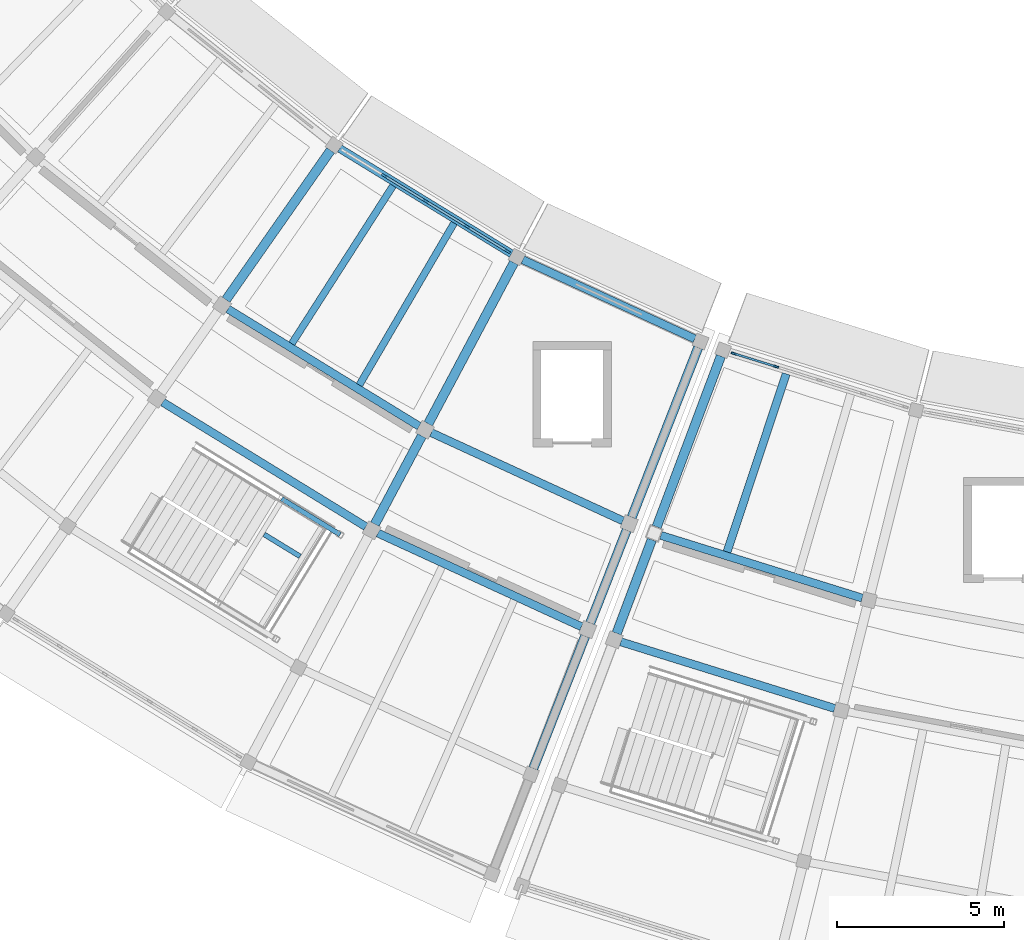
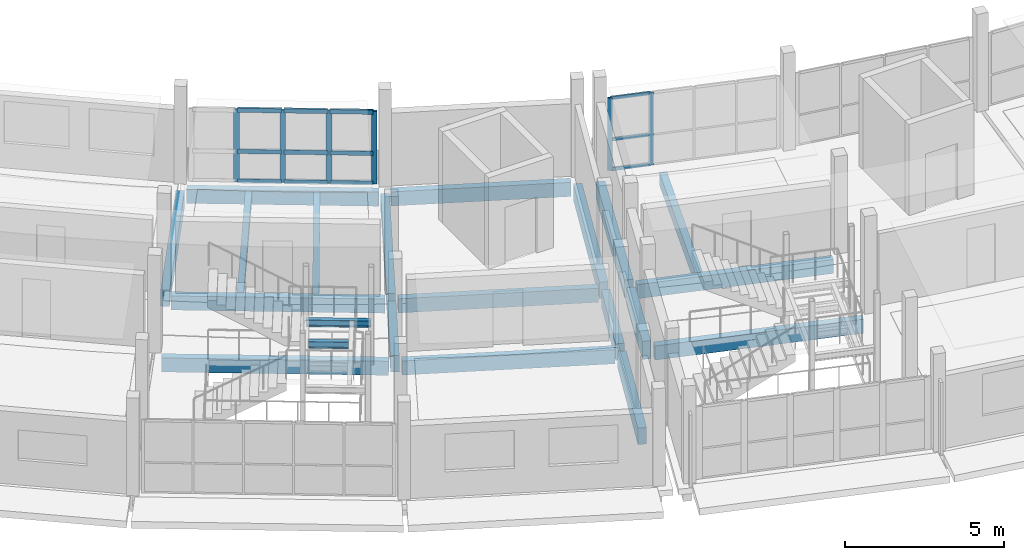
# One storey, part 19 of 66: 21 beams, 18 members, 2 elements without a shape of their own.
"""IFC4 building model written with IfcOpenShell, lengths in metres."""

from ifc_helpers import new_model, si_unit, direction, frame, origin, origin_2d, place, context, subcontext, project, spatial, rectangle, i_section, extrude, material, layer, layer_set, material_profile, profile_set, type_object, element, aggregate, save


model = new_model("IFC4")

# Units and contexts
model_context = context("Model", 3, precision=1e-05, world=origin(), true_north=direction((0.0, 1.0)))
body_context = subcontext(model_context, "Body", "Model", "MODEL_VIEW")
ifc_project = project(units=[si_unit("LENGTHUNIT", "METRE"), si_unit("AREAUNIT", "SQUARE_METRE"), si_unit("VOLUMEUNIT", "CUBIC_METRE"), si_unit("PLANEANGLEUNIT", "RADIAN"), si_unit("MASSUNIT", "GRAM", prefix="KILO")], contexts=[model_context])

# Site, building, storey
site_placement = place(None, origin())
site = spatial("IfcSite", under=ifc_project, at=site_placement, CompositionType="ELEMENT")
building_placement = place(site_placement, origin())
building = spatial("IfcBuilding", under=site, at=building_placement, Name="Caldaven Crescent School", CompositionType="ELEMENT")
storey_placement = place(building_placement, frame((0.0, 0.0, 8.159912109375)))
storey = spatial("IfcBuildingStorey", under=building, at=storey_placement, Name="L02", CompositionType="ELEMENT", Elevation=8.159912109375)

# Beams
ifc_material_1 = material(Name="Glulam MLE24h (GL28h)", Category="wood")
ifc_material_profile_1 = material_profile(ifc_material_1, rectangle(XDim=0.239990234375, YDim=0.5400390625, at=origin_2d()), Name="MLE 240x540")
ifc_profile_set_1 = profile_set([ifc_material_profile_1], Name="Glulam MLE24h (GL28h)")
beam_type_1 = type_object("IfcBeamType", Name="BM-GL54", PredefinedType="BEAM", material=ifc_profile_set_1)
beam_1_placement = place(storey_placement, frame((54.7353515625, 48.13623046875, -0.52001953125), z_axis=(0.85265146304, -0.52248012649, 0.0), x_axis=(0.52248012649, 0.85265146304, 0.0)))
element("IfcBeam", 1, at=beam_1_placement, inside=storey, type_object=beam_type_1, Name="BMT-V4W-L02-1187", PredefinedType="BEAM", context=body_context, shape_type="SweptSolid", body=[
    extrude(rectangle(XDim=0.239990234375, YDim=0.5400390625, at=origin_2d()), origin(), (0.0, 0.0, 1.0), 6.708251953125),
])
beam_2_placement = place(storey_placement, frame((52.78515625, 45.351318359375, -0.52001953125), z_axis=(0.852628835063, -0.522517051989, 0.0), x_axis=(0.522517051989, 0.852628835063, 0.0)))
element("IfcBeam", 2, at=beam_2_placement, inside=storey, type_object=beam_type_1, Name="BMT-V4W-L02-1188", PredefinedType="BEAM", context=body_context, shape_type="SweptSolid", body=[
    extrude(rectangle(XDim=0.239990234375, YDim=0.5400390625, at=origin_2d()), origin(), (0.0, 0.0, 1.0), 7.12353515625),
])
beam_3_placement = place(storey_placement, frame((60.816162109375, 44.4384765625, -0.52001953125), z_axis=(0.908521604568, -0.417837880083, 0.0), x_axis=(0.417837880083, 0.908521604568, 0.0)))
element("IfcBeam", 3, at=beam_3_placement, inside=storey, type_object=beam_type_1, Name="BMT-V4W-L02-1194", PredefinedType="BEAM", context=body_context, shape_type="SweptSolid", body=[
    extrude(rectangle(XDim=0.239990234375, YDim=0.5400390625, at=origin_2d()), origin(), (0.0, 0.0, 1.0), 6.307373046875),
])
beam_4_placement = place(storey_placement, frame((59.219970703125, 41.4365234375, -0.52001953125), z_axis=(0.908529189987, -0.41782138641, 0.0), x_axis=(0.41782138641, 0.908529189987, 0.0)))
element("IfcBeam", 4, at=beam_4_placement, inside=storey, type_object=beam_type_1, Name="BMT-V4W-L02-1195", PredefinedType="BEAM", context=body_context, shape_type="SweptSolid", body=[
    extrude(rectangle(XDim=0.239990234375, YDim=0.5400390625, at=origin_2d()), origin(), (0.0, 0.0, 1.0), 6.69921875),
])
beam_5_placement = place(storey_placement, frame((67.67822265625, 41.36865234375, -0.52001953125), z_axis=(0.954745450865, -0.297424148401, 0.0), x_axis=(0.297424148401, 0.954745450865, 0.0)))
element("IfcBeam", 5, at=beam_5_placement, inside=storey, type_object=beam_type_1, Name="BMT-V5-L02-1229", PredefinedType="BEAM", context=body_context, shape_type="SweptSolid", body=[
    extrude(rectangle(XDim=0.239990234375, YDim=0.5400390625, at=origin_2d()), origin(), (0.0, 0.0, 1.0), 6.307373046875),
])
beam_6_placement = place(storey_placement, frame((66.4814453125, 38.186279296875, -0.52001953125), z_axis=(0.95474092987, -0.29743866062, 0.0), x_axis=(0.29743866062, 0.95474092987, 0.0)))
element("IfcBeam", 6, at=beam_6_placement, inside=storey, type_object=beam_type_1, Name="BMT-V5-L02-1230", PredefinedType="BEAM", context=body_context, shape_type="SweptSolid", body=[
    extrude(rectangle(XDim=0.239990234375, YDim=0.5400390625, at=origin_2d()), origin(), (0.0, 0.0, 1.0), 6.699462890625),
])
ifc_material_profile_2 = material_profile(ifc_material_1, rectangle(XDim=0.280029296875, YDim=0.6298828125, at=origin_2d()), Name="MLE 280x630")
ifc_profile_set_2 = profile_set([ifc_material_profile_2], Name="Glulam MLE24h (GL28h)")
beam_type_2 = type_object("IfcBeamType", Name="BM-GL63", PredefinedType="BEAM", material=ifc_profile_set_2)
for number, where, z_axis, x_axis, name in (
    (7, (57.806884765625, 52.8798828125, -0.56494140625), (-0.573579482338, -0.819149911457, 0.0), (0.819149911457, -0.573579482338, 0.0), "BMR-V4W-L02-1147"),
    (8, (63.287109375, 49.521728515625, -0.56494140625), (-0.469468235073, -0.882949362227, 0.0), (0.882949362227, -0.469468235073, 0.0), "BMR-V4W-L02-1151"),
):
    element("IfcBeam", number, at=place(storey_placement, frame(where, z_axis=z_axis, x_axis=x_axis)), inside=storey, type_object=beam_type_2, Name=name, PredefinedType="BEAM", context=body_context, shape_type="SweptSolid", body=[
        extrude(rectangle(XDim=0.280029296875, YDim=0.6298828125, at=origin_2d()), origin(), (0.0, 0.0, 1.0), 5.455078125),
    ])
beam_7_placement = place(storey_placement, frame((60.533447265625, 44.34326171875, -0.56494140625), z_axis=(-0.46941390334, -0.882978248515, 0.0), x_axis=(0.882978248515, -0.46941390334, 0.0)))
element("IfcBeam", 9, at=beam_7_placement, inside=storey, type_object=beam_type_2, Name="BMR-V4W-L02-1152", PredefinedType="BEAM", context=body_context, shape_type="SweptSolid", body=[
    extrude(rectangle(XDim=0.280029296875, YDim=0.6298828125, at=origin_2d()), origin(), (0.0, 0.0, 1.0), 2.989990234375),
])
beam_8_placement = place(storey_placement, frame((68.797607421875, 46.9873046875, -0.56494140625), z_axis=(-0.364799249955, -0.931086197531, 0.0), x_axis=(0.931086197531, -0.364799249955, 0.0)))
element("IfcBeam", 10, at=beam_8_placement, inside=storey, type_object=beam_type_2, Name="BMR-V4W-L02-1155", PredefinedType="BEAM", context=body_context, shape_type="SweptSolid", body=[
    extrude(rectangle(XDim=0.280029296875, YDim=0.6298828125, at=origin_2d()), origin(), (0.0, 0.0, 1.0), 5.455078125),
])
beam_9_placement = place(storey_placement, frame((66.658203125, 41.526611328125, -0.56494140625), z_axis=(-0.364821090582, -0.931077640085, 0.0), x_axis=(0.931077640085, -0.364821090582, 0.0)))
element("IfcBeam", 11, at=beam_9_placement, inside=storey, type_object=beam_type_2, Name="BMR-V4W-L02-1156", PredefinedType="BEAM", context=body_context, shape_type="SweptSolid", body=[
    extrude(rectangle(XDim=0.280029296875, YDim=0.6298828125, at=origin_2d()), origin(), (0.0, 0.0, 1.0), 2.989990234375),
])
beam_10_placement = place(storey_placement, frame((65.417724609375, 38.36083984375, -0.56494140625), z_axis=(-0.364743301382, -0.931108116223, 0.0), x_axis=(0.931108116223, -0.364743301382, 0.0)))
element("IfcBeam", 12, at=beam_10_placement, inside=storey, type_object=beam_type_2, Name="BMR-V4W-L02-1157", PredefinedType="BEAM", context=body_context, shape_type="SweptSolid", body=[
    extrude(rectangle(XDim=0.280029296875, YDim=0.6298828125, at=origin_2d()), origin(), (0.0, 0.0, 1.0), 4.255126953125),
])
ifc_material_profile_3 = material_profile(ifc_material_1, rectangle(XDim=0.280029296875, YDim=0.68994140625, at=origin_2d()), Name="MLE 280x690")
ifc_profile_set_3 = profile_set([ifc_material_profile_3], Name="Glulam MLE24h (GL28h)")
beam_type_3 = type_object("IfcBeamType", Name="BM-GL69", PredefinedType="BEAM", material=ifc_profile_set_3)
beam_11_placement = place(storey_placement, frame((69.474365234375, 46.7275390625, -0.594970703125), z_axis=(-0.351957103113, -0.936016131041, 0.0), x_axis=(0.936016131041, -0.351957103113, 0.0)))
element("IfcBeam", 13, at=beam_11_placement, inside=storey, type_object=beam_type_3, Name="BMR-V5-L02-1200", PredefinedType="BEAM", context=body_context, shape_type="SweptSolid", body=[
    extrude(rectangle(XDim=0.280029296875, YDim=0.68994140625, at=origin_2d()), origin(), (0.0, 0.0, 1.0), 5.455078125),
])
beam_12_placement = place(storey_placement, frame((67.41015625, 41.23779296875, -0.594970703125), z_axis=(-0.351937632277, -0.936023452157, 0.0), x_axis=(0.936023452157, -0.351937632277, 0.0)))
element("IfcBeam", 14, at=beam_12_placement, inside=storey, type_object=beam_type_3, Name="BMR-V5-L02-1201", PredefinedType="BEAM", context=body_context, shape_type="SweptSolid", body=[
    extrude(rectangle(XDim=0.280029296875, YDim=0.68994140625, at=origin_2d()), origin(), (0.0, 0.0, 1.0), 2.98974609375),
])
ifc_material_2 = material(Name="Steel ASTM A572 Grade 50", Category="steel")
ifc_material_profile_4 = material_profile(ifc_material_2, i_section(OverallWidth=0.14599609375, OverallDepth=0.258056640625, WebThickness=0.006103515625, FlangeThickness=0.009033203125, FilletRadius=0.011962890625, at=origin_2d()), Name="W250x33")
ifc_profile_set_4 = profile_set([ifc_material_profile_4], Name="Steel ASTM A572 Grade 50")
beam_type_4 = type_object("IfcBeamType", Name="BM-W25", PredefinedType="BEAM", material=ifc_profile_set_4)
beam_13_placement = place(storey_placement, frame((56.34130859375, 42.462158203125, 1.546142578125), z_axis=(0.85267484111, -0.522441973177, 0.0), x_axis=(0.522441973177, 0.85267484111, 0.0)))
element("IfcBeam", 15, at=beam_13_placement, inside=storey, type_object=beam_type_4, Name="BM-STSIDE-ST1-L02-SR", PredefinedType="BEAM", context=body_context, shape_type="SweptSolid", body=[
    extrude(i_section(OverallWidth=0.14599609375, OverallDepth=0.258056640625, WebThickness=0.006103515625, FlangeThickness=0.009033203125, FilletRadius=0.011962890625, at=origin_2d()), origin(), (0.0, 0.0, 1.0), 2.050048828125),
])

# Curtain wall, members
ifc_material_3 = material(Name="Anodised aluminium AA 6063-T6 and low-E double glazing", Category="aluminium")
ifc_layer_1 = layer(ifc_material_3, 0.2099609375)
ifc_layer_set_1 = layer_set([ifc_layer_1], Name="Anodised aluminium AA 6063-T6 and low-E double glazing")
curtain_wall_type_1 = type_object("IfcCurtainWallType", Name="CW-SYS3", PredefinedType="NOTDEFINED", material=ifc_layer_set_1)
curtain_wall_1_placement = place(storey_placement, origin())
curtain_wall_1 = element("IfcCurtainWall", 16, at=curtain_wall_1_placement, inside=storey, type_object=curtain_wall_type_1, Name="CW-L02-140", PredefinedType="NOTDEFINED")
ifc_material_4 = material(Name="Anodised aluminium AA 6063-T6", Category="aluminium")
ifc_material_profile_5 = material_profile(ifc_material_4, rectangle(XDim=0.06005859375, YDim=0.14990234375, at=origin_2d()), Name="CWM 60x150")
ifc_profile_set_5 = profile_set([ifc_material_profile_5], Name="Anodised aluminium AA 6063-T6")
member_type_1 = type_object("IfcMemberType", Name="CWM-T1", PredefinedType="MULLION", material=ifc_profile_set_5)
member_1_placement = place(storey_placement, frame((69.856201171875, 46.807373046875, 0.0), z_axis=(0.0, 0.0, 1.0), x_axis=(0.297419758694, 0.954746818344, 0.0)))
member_1 = element("IfcMember", 17, at=member_1_placement, type_object=member_type_1, Name="CW3 mullion 1", PredefinedType="MULLION", context=body_context, shape_type="SweptSolid", body=[
    extrude(rectangle(XDim=0.06005859375, YDim=0.14990234375, at=origin_2d()), origin(), (0.0, 0.0, 1.0), 2.780029296875),
])
member_2_placement = place(storey_placement, frame((71.126953125, 46.411376953125, 0.0), z_axis=(0.0, 0.0, 1.0), x_axis=(0.297419758694, 0.954746818344, 0.0)))
member_2 = element("IfcMember", 18, at=member_2_placement, type_object=member_type_1, Name="CW3 mullion 2", PredefinedType="MULLION", context=body_context, shape_type="SweptSolid", body=[
    extrude(rectangle(XDim=0.06005859375, YDim=0.14990234375, at=origin_2d()), origin(), (0.0, 0.0, 1.0), 2.780029296875),
])

ifc_layer_2 = layer(ifc_material_3, 0.169921875)
ifc_layer_set_2 = layer_set([ifc_layer_2], Name="Anodised aluminium AA 6063-T6 and low-E double glazing")
curtain_wall_type_2 = type_object("IfcCurtainWallType", Name="CW-SYS1", PredefinedType="NOTDEFINED", material=ifc_layer_set_2)
curtain_wall_2_placement = place(storey_placement, origin())
curtain_wall_2 = element("IfcCurtainWall", 19, at=curtain_wall_2_placement, inside=storey, type_object=curtain_wall_type_2, Name="CW-L02-138", PredefinedType="NOTDEFINED")
ifc_material_profile_6 = material_profile(ifc_material_4, rectangle(XDim=0.06494140625, YDim=0.179931640625, at=origin_2d()), Name="CWM 65x180")
ifc_profile_set_6 = profile_set([ifc_material_profile_6], Name="Anodised aluminium AA 6063-T6")
member_type_2 = type_object("IfcMemberType", Name="CWM-T2", PredefinedType="MULLION", material=ifc_profile_set_6)
member_3_placement = place(storey_placement, frame((59.408935546875, 52.12060546875, 0.0), z_axis=(0.0, 0.0, 1.0), x_axis=(0.522499392879, 0.852639656854, 0.0)))
member_3 = element("IfcMember", 20, at=member_3_placement, type_object=member_type_2, Name="CW1 mullion 2", PredefinedType="MULLION", context=body_context, shape_type="SweptSolid", body=[
    extrude(rectangle(XDim=0.06494140625, YDim=0.179931640625, at=origin_2d()), origin(), (0.0, 0.0, 1.0), 2.780029296875),
])
member_4_placement = place(storey_placement, frame((60.64599609375, 51.362548828125, 0.0), z_axis=(0.0, 0.0, 1.0), x_axis=(0.522499392879, 0.852639656854, 0.0)))
member_4 = element("IfcMember", 21, at=member_4_placement, type_object=member_type_2, Name="CW1 mullion 3", PredefinedType="MULLION", context=body_context, shape_type="SweptSolid", body=[
    extrude(rectangle(XDim=0.06494140625, YDim=0.179931640625, at=origin_2d()), origin(), (0.0, 0.0, 1.0), 2.780029296875),
])
member_5_placement = place(storey_placement, frame((61.88330078125, 50.604248046875, 0.0), z_axis=(0.0, 0.0, 1.0), x_axis=(0.522499392879, 0.852639656854, 0.0)))
member_5 = element("IfcMember", 22, at=member_5_placement, type_object=member_type_2, Name="CW1 mullion 4", PredefinedType="MULLION", context=body_context, shape_type="SweptSolid", body=[
    extrude(rectangle(XDim=0.06494140625, YDim=0.179931640625, at=origin_2d()), origin(), (0.0, 0.0, 1.0), 2.780029296875),
])
member_6_placement = place(storey_placement, frame((63.0927734375, 49.863037109375, 0.0), z_axis=(0.0, 0.0, 1.0), x_axis=(0.522499392879, 0.852639656854, 0.0)))
member_6 = element("IfcMember", 23, at=member_6_placement, type_object=member_type_2, Name="CW1 mullion 5", PredefinedType="MULLION", context=body_context, shape_type="SweptSolid", body=[
    extrude(rectangle(XDim=0.06494140625, YDim=0.179931640625, at=origin_2d()), origin(), (0.0, 0.0, 1.0), 2.780029296875),
])

# Member
ifc_material_profile_7 = material_profile(ifc_material_4, rectangle(XDim=0.06005859375, YDim=0.1201171875, at=origin_2d()), Name="CWT 60x120")
ifc_profile_set_7 = profile_set([ifc_material_profile_7], Name="Anodised aluminium AA 6063-T6")
member_type_3 = type_object("IfcMemberType", Name="CWT-T1", PredefinedType="USERDEFINED", material=ifc_profile_set_7)
member_7_placement = place(storey_placement, frame((69.885009765625, 46.79833984375, 0.030029296875), z_axis=(0.954742858381, -0.29743247027, 0.0), x_axis=(0.29743247027, 0.954742858381, 0.0)))
member_7 = element("IfcMember", 24, at=member_7_placement, type_object=member_type_3, Name="CW3 transom 1.1", ObjectType="TRANSOM", PredefinedType="USERDEFINED", context=body_context, shape_type="SweptSolid", body=[
    extrude(rectangle(XDim=0.06005859375, YDim=0.1201171875, at=origin_2d()), origin(), (0.0, 0.0, 1.0), 1.270751953125),
])

member_8_placement = place(storey_placement, frame((69.885009765625, 46.79833984375, 1.16796875), z_axis=(0.954742858381, -0.29743247027, 0.0), x_axis=(0.29743247027, 0.954742858381, 0.0)))
member_8 = element("IfcMember", 25, at=member_8_placement, type_object=member_type_3, Name="CW3 transom 1.2", ObjectType="TRANSOM", PredefinedType="USERDEFINED", context=body_context, shape_type="SweptSolid", body=[
    extrude(rectangle(XDim=0.06005859375, YDim=0.1201171875, at=origin_2d()), origin(), (0.0, 0.0, 1.0), 1.270751953125),
])

member_9_placement = place(storey_placement, frame((69.885009765625, 46.79833984375, 2.75), z_axis=(0.954742858381, -0.29743247027, 0.0), x_axis=(0.29743247027, 0.954742858381, 0.0)))
member_9 = element("IfcMember", 26, at=member_9_placement, type_object=member_type_3, Name="CW3 transom 1.3", ObjectType="TRANSOM", PredefinedType="USERDEFINED", context=body_context, shape_type="SweptSolid", body=[
    extrude(rectangle(XDim=0.06005859375, YDim=0.1201171875, at=origin_2d()), origin(), (0.0, 0.0, 1.0), 1.270751953125),
])

aggregate(curtain_wall_1, [member_1, member_2, member_7, member_8, member_9])

ifc_material_profile_8 = material_profile(ifc_material_4, rectangle(XDim=0.070068359375, YDim=0.159912109375, at=origin_2d()), Name="CWT 70x160")
ifc_profile_set_8 = profile_set([ifc_material_profile_8], Name="Anodised aluminium AA 6063-T6")
member_type_4 = type_object("IfcMemberType", Name="CWT-T3", PredefinedType="USERDEFINED", material=ifc_profile_set_8)
member_10_placement = place(storey_placement, frame((59.4365234375, 52.103515625, 0.03515625), z_axis=(0.852684780563, -0.522425750702, 0.0), x_axis=(0.522425750702, 0.852684780563, 0.0)))
member_10 = element("IfcMember", 27, at=member_10_placement, type_object=member_type_4, Name="CW1 transom 2.1", ObjectType="TRANSOM", PredefinedType="USERDEFINED", context=body_context, shape_type="SweptSolid", body=[
    extrude(rectangle(XDim=0.070068359375, YDim=0.159912109375, at=origin_2d()), origin(), (0.0, 0.0, 1.0), 1.385986328125),
])

member_11_placement = place(storey_placement, frame((59.4365234375, 52.103515625, 1.16796875), z_axis=(0.852684780563, -0.522425750702, 0.0), x_axis=(0.522425750702, 0.852684780563, 0.0)))
member_11 = element("IfcMember", 28, at=member_11_placement, type_object=member_type_4, Name="CW1 transom 2.2", ObjectType="TRANSOM", PredefinedType="USERDEFINED", context=body_context, shape_type="SweptSolid", body=[
    extrude(rectangle(XDim=0.070068359375, YDim=0.159912109375, at=origin_2d()), origin(), (0.0, 0.0, 1.0), 1.385986328125),
])

member_12_placement = place(storey_placement, frame((59.4365234375, 52.103515625, 2.7451171875), z_axis=(0.852684780563, -0.522425750702, 0.0), x_axis=(0.522425750702, 0.852684780563, 0.0)))
member_12 = element("IfcMember", 29, at=member_12_placement, type_object=member_type_4, Name="CW1 transom 2.3", ObjectType="TRANSOM", PredefinedType="USERDEFINED", context=body_context, shape_type="SweptSolid", body=[
    extrude(rectangle(XDim=0.070068359375, YDim=0.159912109375, at=origin_2d()), origin(), (0.0, 0.0, 1.0), 1.385986328125),
])

member_13_placement = place(storey_placement, frame((60.673828125, 51.345458984375, 0.03515625), z_axis=(0.852636696581, -0.522504223566, 0.0), x_axis=(0.522504223566, 0.852636696581, 0.0)))
member_13 = element("IfcMember", 30, at=member_13_placement, type_object=member_type_4, Name="CW1 transom 3.1", ObjectType="TRANSOM", PredefinedType="USERDEFINED", context=body_context, shape_type="SweptSolid", body=[
    extrude(rectangle(XDim=0.070068359375, YDim=0.159912109375, at=origin_2d()), origin(), (0.0, 0.0, 1.0), 1.385986328125),
])

member_14_placement = place(storey_placement, frame((60.673828125, 51.345458984375, 1.16796875), z_axis=(0.852636696581, -0.522504223566, 0.0), x_axis=(0.522504223566, 0.852636696581, 0.0)))
member_14 = element("IfcMember", 31, at=member_14_placement, type_object=member_type_4, Name="CW1 transom 3.2", ObjectType="TRANSOM", PredefinedType="USERDEFINED", context=body_context, shape_type="SweptSolid", body=[
    extrude(rectangle(XDim=0.070068359375, YDim=0.159912109375, at=origin_2d()), origin(), (0.0, 0.0, 1.0), 1.385986328125),
])

member_15_placement = place(storey_placement, frame((60.673828125, 51.345458984375, 2.7451171875), z_axis=(0.852636696581, -0.522504223566, 0.0), x_axis=(0.522504223566, 0.852636696581, 0.0)))
member_15 = element("IfcMember", 32, at=member_15_placement, type_object=member_type_4, Name="CW1 transom 3.3", ObjectType="TRANSOM", PredefinedType="USERDEFINED", context=body_context, shape_type="SweptSolid", body=[
    extrude(rectangle(XDim=0.070068359375, YDim=0.159912109375, at=origin_2d()), origin(), (0.0, 0.0, 1.0), 1.385986328125),
])

member_16_placement = place(storey_placement, frame((61.910888671875, 50.58740234375, 0.03515625), z_axis=(0.852616806019, -0.522536680143, 0.0), x_axis=(0.522536680143, 0.852616806019, 0.0)))
member_16 = element("IfcMember", 33, at=member_16_placement, type_object=member_type_4, Name="CW1 transom 4.1", ObjectType="TRANSOM", PredefinedType="USERDEFINED", context=body_context, shape_type="SweptSolid", body=[
    extrude(rectangle(XDim=0.070068359375, YDim=0.159912109375, at=origin_2d()), origin(), (0.0, 0.0, 1.0), 1.353515625),
])

member_17_placement = place(storey_placement, frame((61.910888671875, 50.58740234375, 1.16796875), z_axis=(0.852616806019, -0.522536680143, 0.0), x_axis=(0.522536680143, 0.852616806019, 0.0)))
member_17 = element("IfcMember", 34, at=member_17_placement, type_object=member_type_4, Name="CW1 transom 4.2", ObjectType="TRANSOM", PredefinedType="USERDEFINED", context=body_context, shape_type="SweptSolid", body=[
    extrude(rectangle(XDim=0.070068359375, YDim=0.159912109375, at=origin_2d()), origin(), (0.0, 0.0, 1.0), 1.353515625),
])

member_18_placement = place(storey_placement, frame((61.910888671875, 50.58740234375, 2.7451171875), z_axis=(0.852616806019, -0.522536680143, 0.0), x_axis=(0.522536680143, 0.852616806019, 0.0)))
member_18 = element("IfcMember", 35, at=member_18_placement, type_object=member_type_4, Name="CW1 transom 4.3", ObjectType="TRANSOM", PredefinedType="USERDEFINED", context=body_context, shape_type="SweptSolid", body=[
    extrude(rectangle(XDim=0.070068359375, YDim=0.159912109375, at=origin_2d()), origin(), (0.0, 0.0, 1.0), 1.353515625),
])

aggregate(curtain_wall_2, [member_3, member_4, member_5, member_6, member_10, member_11, member_12, member_13, member_14, member_15, member_16, member_17, member_18])

# Beams
ifc_material_profile_9 = material_profile(ifc_material_1, rectangle(XDim=0.2099609375, YDim=0.419921875, at=origin_2d()), Name="MLE 210x420")
ifc_profile_set_9 = profile_set([ifc_material_profile_9], Name="Glulam MLE24h (GL28h)")
beam_type_5 = type_object("IfcBeamType", Name="JS-GL42", PredefinedType="JOIST", material=ifc_profile_set_9)
beam_14_placement = place(storey_placement, frame((59.673828125, 51.8232421875, -0.4599609375), z_axis=(-0.539758643815, -0.841819818267, 0.0), x_axis=(0.841819818267, -0.539758643815, 0.0)))
element("IfcBeam", 36, at=beam_14_placement, inside=storey, type_object=beam_type_5, Name="JSR-V4W-L02-1191", PredefinedType="JOIST", context=body_context, shape_type="SweptSolid", body=[
    extrude(rectangle(XDim=0.2099609375, YDim=0.419921875, at=origin_2d()), origin(), (0.0, 0.0, 1.0), 5.610107421875),
])
beam_15_placement = place(storey_placement, frame((61.498046875, 50.70556640625, -0.4599609375), z_axis=(-0.505012393824, -0.863112091263, 0.0), x_axis=(0.863112091263, -0.505012393824, 0.0)))
element("IfcBeam", 37, at=beam_15_placement, inside=storey, type_object=beam_type_5, Name="JSR-V4W-L02-1192", PredefinedType="JOIST", context=body_context, shape_type="SweptSolid", body=[
    extrude(rectangle(XDim=0.2099609375, YDim=0.419921875, at=origin_2d()), origin(), (0.0, 0.0, 1.0), 5.6103515625),
])
ifc_material_profile_10 = material_profile(ifc_material_1, rectangle(XDim=0.239990234375, YDim=0.47998046875, at=origin_2d()), Name="MLE 240x480")
ifc_profile_set_10 = profile_set([ifc_material_profile_10], Name="Glulam MLE24h (GL28h)")
beam_type_6 = type_object("IfcBeamType", Name="JS-GL48", PredefinedType="JOIST", material=ifc_profile_set_10)
beam_16_placement = place(storey_placement, frame((71.42822265625, 46.197265625, -0.489990234375), z_axis=(-0.315731740735, -0.948848495753, 0.0), x_axis=(0.948848495753, -0.315731740735, 0.0)))
element("IfcBeam", 38, at=beam_16_placement, inside=storey, type_object=beam_type_6, Name="JSR-V5-L02-1233", PredefinedType="JOIST", context=body_context, shape_type="SweptSolid", body=[
    extrude(rectangle(XDim=0.239990234375, YDim=0.47998046875, at=origin_2d()), origin(), (0.0, 0.0, 1.0), 5.611572265625),
])
ifc_material_profile_11 = material_profile(ifc_material_2, i_section(OverallWidth=0.14599609375, OverallDepth=0.258056640625, WebThickness=0.006103515625, FlangeThickness=0.009033203125, FilletRadius=0.011962890625, at=origin_2d()), Name="W250x33")
ifc_profile_set_11 = profile_set([ifc_material_profile_11], Name="Steel ASTM A572 Grade 50")
beam_type_7 = type_object("IfcBeamType", Name="LN-W25", PredefinedType="LINTEL", material=ifc_profile_set_11)
beam_17_placement = place(storey_placement, frame((55.818603515625, 41.398681640625, 1.546142578125), z_axis=(0.852634663632, -0.522507540972, 0.0), x_axis=(0.522507540972, 0.852634663632, 0.0)))
element("IfcBeam", 39, at=beam_17_placement, inside=storey, type_object=beam_type_7, Name="BM-STJST-ST1-L02-JR", PredefinedType="LINTEL", context=body_context, shape_type="SweptSolid", body=[
    extrude(i_section(OverallWidth=0.14599609375, OverallDepth=0.258056640625, WebThickness=0.006103515625, FlangeThickness=0.009033203125, FilletRadius=0.011962890625, at=origin_2d()), origin(), (0.0, 0.0, 1.0), 1.26025390625),
])
ifc_material_profile_12 = material_profile(ifc_material_1, rectangle(XDim=0.239990234375, YDim=0.5400390625, at=origin_2d()), Name="MLE 240x540")
ifc_profile_set_12 = profile_set([ifc_material_profile_12], Name="Glulam MLE24h (GL28h)")
beam_type_8 = type_object("IfcBeamType", Name="SP-GL54", PredefinedType="SPANDREL", material=ifc_profile_set_12)
beam_18_placement = place(storey_placement, frame((58.077880859375, 52.936279296875, -0.52001953125), z_axis=(0.852623968023, -0.522524993807, 0.0), x_axis=(0.522524993807, 0.852623968023, 0.0)))
element("IfcBeam", 40, at=beam_18_placement, inside=storey, type_object=beam_type_8, Name="BMT-V4W-L02-1186", PredefinedType="SPANDREL", context=body_context, shape_type="SweptSolid", body=[
    extrude(rectangle(XDim=0.239990234375, YDim=0.5400390625, at=origin_2d()), origin(), (0.0, 0.0, 1.0), 6.02392578125),
])
beam_19_placement = place(storey_placement, frame((63.548828125, 49.610107421875, -0.52001953125), z_axis=(0.908522527623, -0.417835873043, 0.0), x_axis=(0.417835873043, 0.908522527623, 0.0)))
element("IfcBeam", 41, at=beam_19_placement, inside=storey, type_object=beam_type_8, Name="BMT-V4W-L02-1193", PredefinedType="SPANDREL", context=body_context, shape_type="SweptSolid", body=[
    extrude(rectangle(XDim=0.239990234375, YDim=0.5400390625, at=origin_2d()), origin(), (0.0, 0.0, 1.0), 5.66357421875),
])

save(model, "model.ifc")
